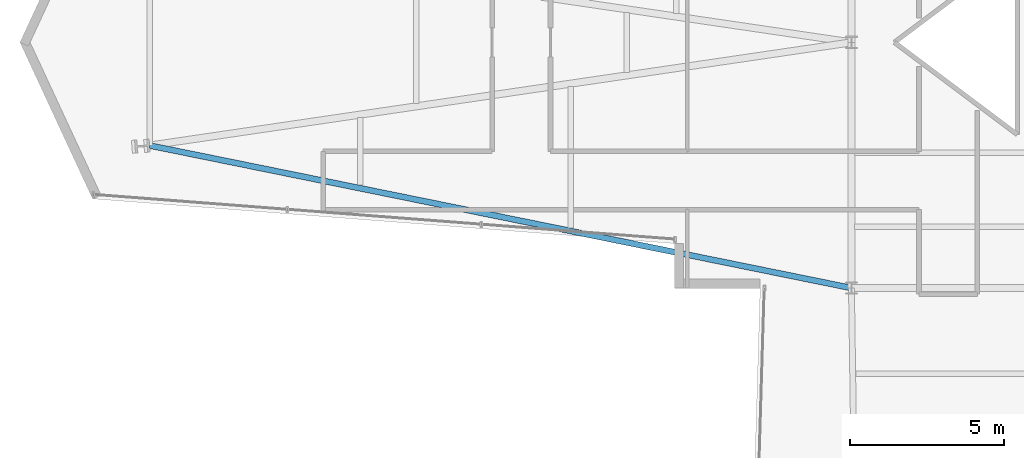
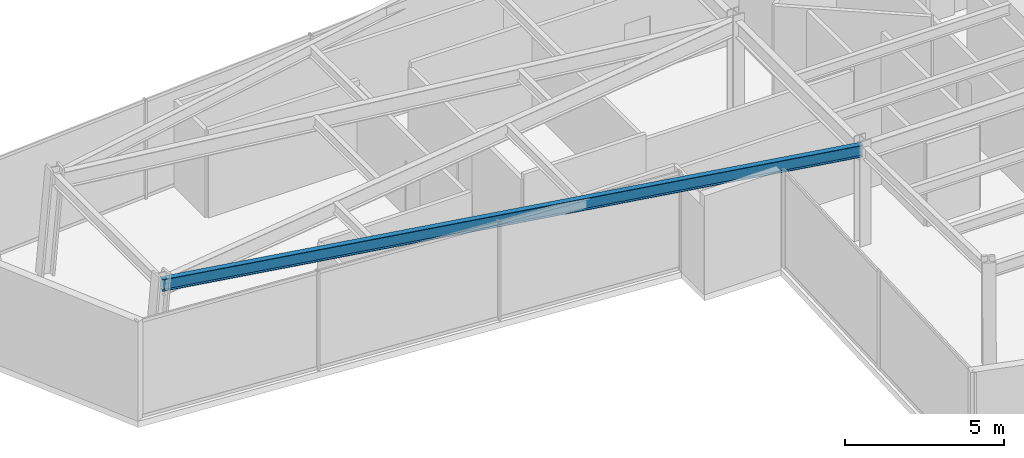
# One storey, part 3 of 28: 1 beam.
"""IFC4 building model written with IfcOpenShell, lengths in metres."""

from ifc_helpers import new_model, si_unit, direction, frame, origin, origin_2d, place, context, subcontext, project, spatial, i_section, extrude, material, material_profile, profile_set, type_object, element, save


model = new_model("IFC4")

# Units and contexts
model_context = context("Model", 3, precision=1e-05, world=origin(), true_north=direction((0.0, 1.0)))
body_context = subcontext(model_context, "Body", "Model", "MODEL_VIEW")
ifc_project = project(units=[si_unit("LENGTHUNIT", "METRE"), si_unit("AREAUNIT", "SQUARE_METRE"), si_unit("VOLUMEUNIT", "CUBIC_METRE"), si_unit("PLANEANGLEUNIT", "RADIAN"), si_unit("MASSUNIT", "GRAM", prefix="KILO")], contexts=[model_context])

# Site, building, storey
site_placement = place(None, origin())
site = spatial("IfcSite", under=ifc_project, at=site_placement, CompositionType="ELEMENT")
building_placement = place(site_placement, origin())
building = spatial("IfcBuilding", under=site, at=building_placement, Name="Veymaron Broadcast Tower", CompositionType="ELEMENT")
storey_placement = place(building_placement, frame((0.0, 0.0, 45.89990234375)))
storey = spatial("IfcBuildingStorey", under=building, at=storey_placement, Name="L09", CompositionType="ELEMENT", Elevation=45.89990234375)

# Beam
ifc_material = material(Name="Structural steel ASTM A992 Gr 50", Category="steel")
ifc_material_profile = material_profile(ifc_material, i_section(OverallWidth=0.19091796875, OverallDepth=0.4599609375, WebThickness=0.010009765625, FlangeThickness=0.01611328125, at=origin_2d()), Name="W460X82")
ifc_profile_set = profile_set([ifc_material_profile], Name="Structural steel ASTM A992 Gr 50")
beam_type = type_object("IfcBeamType", Name="BM-SP1", PredefinedType="SPANDREL", material=ifc_profile_set)
beam_placement = place(storey_placement, frame((8.35205078125, 20.639892578125, 3.580078125), z_axis=(0.979996415333, -0.199015139963, 0.0), x_axis=(0.199015139963, 0.979996415333, 0.0)))
element("IfcBeam", 1, at=beam_placement, inside=storey, type_object=beam_type, Name="L09 primary structural floor girder", PredefinedType="SPANDREL", context=body_context, shape_type="SweptSolid", body=[
    extrude(i_section(OverallWidth=0.19091796875, OverallDepth=0.4599609375, WebThickness=0.010009765625, FlangeThickness=0.01611328125, at=origin_2d()), origin(), (0.0, 0.0, 1.0), 23.314208984375),
])

save(model, "model.ifc")
